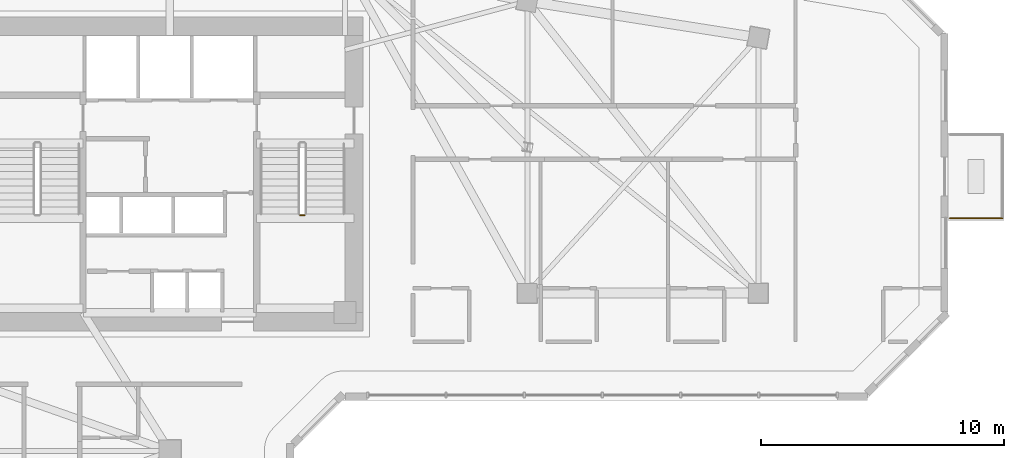
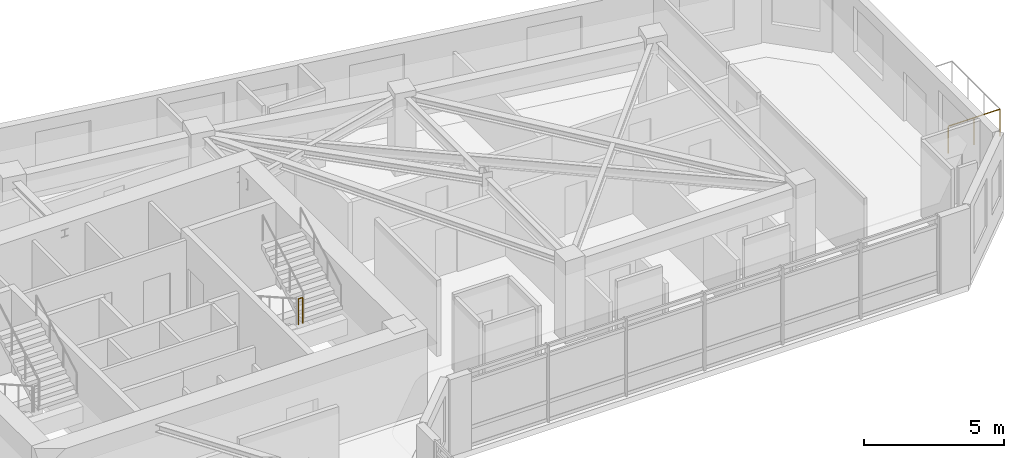
# One storey, part 12 of 14: 2 railings.
"""IFC4 building model written with IfcOpenShell, lengths in metres."""

from ifc_helpers import new_model, si_unit, direction, frame, origin, origin_2d, place, context, subcontext, project, spatial, circle, extrude, material, type_object, element, save


model = new_model("IFC4")

# Units and contexts
model_context = context("Model", 3, precision=1e-05, world=origin(), true_north=direction((0.0, 1.0)))
body_context = subcontext(model_context, "Body", "Model", "MODEL_VIEW")
ifc_project = project(units=[si_unit("LENGTHUNIT", "METRE"), si_unit("AREAUNIT", "SQUARE_METRE"), si_unit("VOLUMEUNIT", "CUBIC_METRE"), si_unit("PLANEANGLEUNIT", "RADIAN"), si_unit("MASSUNIT", "GRAM", prefix="KILO")], contexts=[model_context])

# Site, building, storey
site_placement = place(None, origin())
site = spatial("IfcSite", under=ifc_project, at=site_placement, CompositionType="ELEMENT")
building_placement = place(site_placement, origin())
building = spatial("IfcBuilding", under=site, at=building_placement, Name="Calvemar Wedge Station Tower", CompositionType="ELEMENT")
storey_placement = place(building_placement, frame((0.0, 0.0, 128.60009765625)))
storey = spatial("IfcBuildingStorey", under=building, at=storey_placement, Name="L31", CompositionType="ELEMENT", Elevation=128.60009765625)

# Railings
ifc_material_1 = material(Name="Stainless steel AISI 316L", Category="steel")
railing_type_1 = type_object("IfcRailingType", Name="GRD-TERR-1200", PredefinedType="GUARDRAIL", material=ifc_material_1)
railing_1_placement = place(storey_placement, frame((58.02001953125, 38.072021484375, 0.0)))
element("IfcRailing", 1, at=railing_1_placement, inside=storey, type_object=railing_type_1, Name="Storey L31 Spiral Terrace Guard 4", PredefinedType="GUARDRAIL", context=body_context, shape_type="SweptSolid", body=[
    extrude(circle(Radius=0.02392578125, at=origin_2d()), frame((0.0, 0.0, 1.17578125), z_axis=(-1.0, 0.0, 0.0), x_axis=(0.0, -1.0, 0.0)), (0.0, 0.0, 1.0), 2.14013671875),
    extrude(circle(Radius=0.02099609375, at=origin_2d()), origin(), (0.0, 0.0, 1.0), 1.15185546875),
    extrude(circle(Radius=0.02099609375, at=origin_2d()), frame((-1.070068359375, 0.0, 0.0)), (0.0, 0.0, 1.0), 1.15185546875),
    extrude(circle(Radius=0.02099609375, at=origin_2d()), frame((-2.14013671875, 0.0, 0.0)), (0.0, 0.0, 1.0), 1.15185546875),
])
ifc_material_2 = material(Name="Painted steel guardrail ASTM A500 Grade C", Category="steel")
railing_type_2 = type_object("IfcRailingType", Name="RL-STAIR-GUARD-1150", PredefinedType="GUARDRAIL", material=ifc_material_2)
railing_2_placement = place(storey_placement, frame((29.159912109375, 38.199951171875, 1.7998046875)))
element("IfcRailing", 2, at=railing_2_placement, inside=storey, type_object=railing_type_2, Name="L31 ST-C2 stair guard 2", PredefinedType="GUARDRAIL", context=body_context, shape_type="SweptSolid", body=[
    extrude(circle(Radius=0.02392578125, at=origin_2d()), frame((0.0, 0.0, 1.1259765625), z_axis=(1.0, 0.0, 0.0), x_axis=(0.0, 1.0, 0.0)), (0.0, 0.0, 1.0), 0.18017578125),
    extrude(circle(Radius=0.02099609375, at=origin_2d()), origin(), (0.0, 0.0, 1.0), 1.101806640625),
    extrude(circle(Radius=0.02099609375, at=origin_2d()), frame((0.18017578125, 0.0, 0.0)), (0.0, 0.0, 1.0), 1.101806640625),
])

save(model, "model.ifc")
